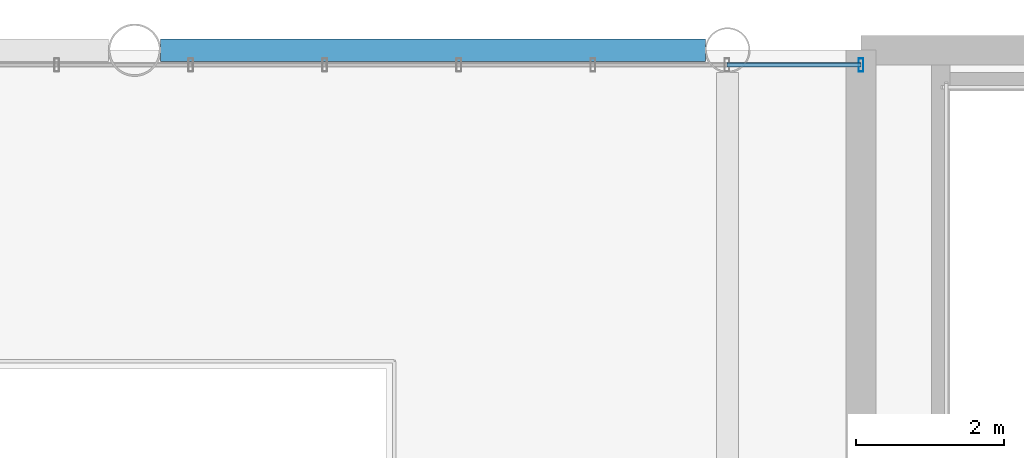
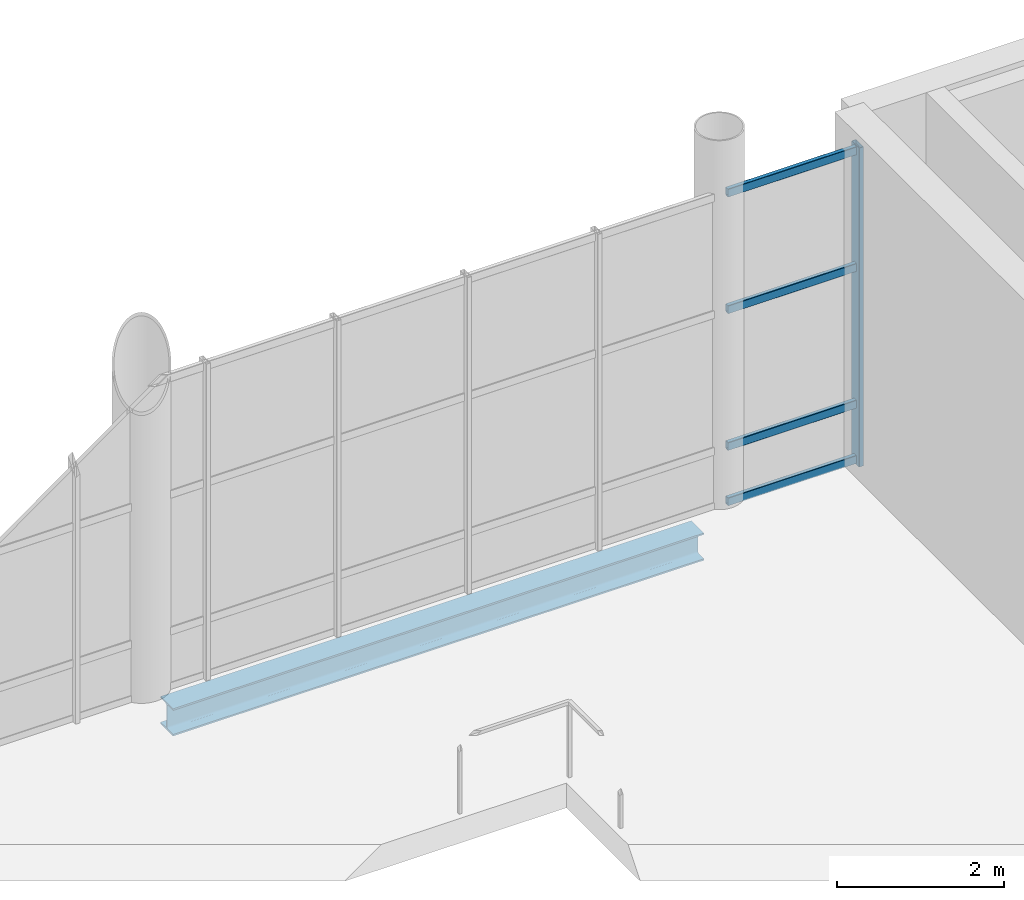
# One storey, part 112 of 176: 5 members, 1 beam, 1 element without a shape of its own.
"""IFC4 building model written with IfcOpenShell, lengths in metres."""

from ifc_helpers import new_model, si_unit, direction, frame, origin, origin_2d, place, context, subcontext, project, spatial, hollow_rectangle, i_section, extrude, material, layer, layer_set, material_profile, profile_set, type_object, element, aggregate, save


model = new_model("IFC4")

# Units and contexts
model_context = context("Model", 3, precision=1e-05, world=origin(), true_north=direction((0.0, 1.0)))
body_context = subcontext(model_context, "Body", "Model", "MODEL_VIEW")
ifc_project = project(units=[si_unit("LENGTHUNIT", "METRE"), si_unit("AREAUNIT", "SQUARE_METRE"), si_unit("VOLUMEUNIT", "CUBIC_METRE"), si_unit("PLANEANGLEUNIT", "RADIAN"), si_unit("MASSUNIT", "GRAM", prefix="KILO")], contexts=[model_context])

# Site, building, storey
site_placement = place(None, origin())
site = spatial("IfcSite", under=ifc_project, at=site_placement, CompositionType="ELEMENT")
building_placement = place(site_placement, origin())
building = spatial("IfcBuilding", under=site, at=building_placement, Name="Khorjan Park Terminus", CompositionType="ELEMENT")
storey_placement = place(building_placement, frame((0.0, 0.0, 6.0)))
storey = spatial("IfcBuildingStorey", under=building, at=storey_placement, Name="L01", CompositionType="ELEMENT", Elevation=6.0)

# Beam
ifc_material_1 = material(Name="Steel S355", Category="steel")
ifc_material_profile_1 = material_profile(ifc_material_1, i_section(OverallWidth=0.3, OverallDepth=0.4, WebThickness=0.0135, FlangeThickness=0.024, FilletRadius=0.027, at=origin_2d()), Name="HEB 400")
ifc_profile_set_1 = profile_set([ifc_material_profile_1], Name="Steel S355")
beam_type = type_object("IfcBeamType", Name="BM-HEB400", PredefinedType="BEAM", material=ifc_profile_set_1)
beam_placement = place(storey_placement, frame((64.3505, 154.0, -0.56), z_axis=(1.0, 0.0, 0.0), x_axis=(0.0, 1.0, 0.0)))
element("IfcBeam", 1, at=beam_placement, inside=storey, type_object=beam_type, Name="Primary floor girder SB-B40 (L01)", PredefinedType="BEAM", context=body_context, shape_type="SweptSolid", body=[
    extrude(i_section(OverallWidth=0.3, OverallDepth=0.4, WebThickness=0.0135, FlangeThickness=0.024, FilletRadius=0.027, at=origin_2d()), origin(), (0.0, 0.0, 1.0), 7.3495),
])

# Curtain wall, members
ifc_material_2 = material(Name="Anodized Bronze Aluminium", Category="aluminium")
ifc_layer = layer(ifc_material_2, 0.22)
ifc_layer_set = layer_set([ifc_layer], Name="Anodized Bronze Aluminium")
curtain_wall_type = type_object("IfcCurtainWallType", Name="CW-BRG-D", PredefinedType="NOTDEFINED", material=ifc_layer_set)
curtain_wall_placement = place(storey_placement, origin())
curtain_wall = element("IfcCurtainWall", 2, at=curtain_wall_placement, inside=storey, type_object=curtain_wall_type, Name="Unitized curtain wall CW-D (CW-BRW-N)", PredefinedType="NOTDEFINED")
ifc_material_profile_2 = material_profile(ifc_material_2, hollow_rectangle(XDim=0.065, YDim=0.18, WallThickness=0.004, InnerFilletRadius=0.004, OuterFilletRadius=0.008, at=origin_2d()), Name="ALM 65x180x4")
ifc_profile_set_2 = profile_set([ifc_material_profile_2], Name="Anodized Bronze Aluminium")
member_type_1 = type_object("IfcMemberType", Name="ML-ALM-180", PredefinedType="MULLION", material=ifc_profile_set_2)
member_1_placement = place(storey_placement, frame((73.8, 153.8, -0.035), z_axis=(0.0, 0.0, 1.0), x_axis=(-1.0, 0.0, 0.0)))
member_1 = element("IfcMember", 3, at=member_1_placement, type_object=member_type_1, Name="Curtain-wall mullion ML-18 (CW-BRW-N-0)", PredefinedType="MULLION", context=body_context, shape_type="SweptSolid", body=[
    extrude(hollow_rectangle(XDim=0.065, YDim=0.18, WallThickness=0.004, InnerFilletRadius=0.004, OuterFilletRadius=0.008, at=origin_2d()), origin(), (0.0, 0.0, 1.0), 4.67),
])
ifc_material_profile_3 = material_profile(ifc_material_2, hollow_rectangle(XDim=0.06, YDim=0.12, WallThickness=0.004, InnerFilletRadius=0.004, OuterFilletRadius=0.008, at=origin_2d()), Name="ALT 60x120x4")
ifc_profile_set_3 = profile_set([ifc_material_profile_3], Name="Anodized Bronze Aluminium")
member_type_2 = type_object("IfcMemberType", Name="TR-ALT-120", PredefinedType="USERDEFINED", material=ifc_profile_set_3)
member_2_placement = place(storey_placement, frame((73.8, 153.8, 0.04), z_axis=(-1.0, 0.0, 0.0), x_axis=(0.0, -1.0, 0.0)))
member_2 = element("IfcMember", 4, at=member_2_placement, type_object=member_type_2, Name="Curtain-wall transom TR-12 (CW-BRW-N-0-1)", ObjectType="TRANSOM", PredefinedType="USERDEFINED", context=body_context, shape_type="SweptSolid", body=[
    extrude(hollow_rectangle(XDim=0.06, YDim=0.12, WallThickness=0.004, InnerFilletRadius=0.004, OuterFilletRadius=0.008, at=origin_2d()), origin(), (0.0, 0.0, 1.0), 1.8083),
])
member_3_placement = place(storey_placement, frame((73.8, 153.8, 0.85), z_axis=(-1.0, 0.0, 0.0), x_axis=(0.0, -1.0, 0.0)))
member_3 = element("IfcMember", 5, at=member_3_placement, type_object=member_type_2, Name="Curtain-wall transom TR-12 (CW-BRW-N-0-2)", ObjectType="TRANSOM", PredefinedType="USERDEFINED", context=body_context, shape_type="SweptSolid", body=[
    extrude(hollow_rectangle(XDim=0.06, YDim=0.12, WallThickness=0.004, InnerFilletRadius=0.004, OuterFilletRadius=0.008, at=origin_2d()), origin(), (0.0, 0.0, 1.0), 1.8083),
])
member_4_placement = place(storey_placement, frame((73.8, 153.8, 2.852), z_axis=(-1.0, 0.0, 0.0), x_axis=(0.0, -1.0, 0.0)))
member_4 = element("IfcMember", 6, at=member_4_placement, type_object=member_type_2, Name="Curtain-wall transom TR-12 (CW-BRW-N-0-3)", ObjectType="TRANSOM", PredefinedType="USERDEFINED", context=body_context, shape_type="SweptSolid", body=[
    extrude(hollow_rectangle(XDim=0.06, YDim=0.12, WallThickness=0.004, InnerFilletRadius=0.004, OuterFilletRadius=0.008, at=origin_2d()), origin(), (0.0, 0.0, 1.0), 1.8083),
])
member_5_placement = place(storey_placement, frame((73.8, 153.8, 4.56), z_axis=(-1.0, 0.0, 0.0), x_axis=(0.0, -1.0, 0.0)))
member_5 = element("IfcMember", 7, at=member_5_placement, type_object=member_type_2, Name="Curtain-wall transom TR-12 (CW-BRW-N-0-4)", ObjectType="TRANSOM", PredefinedType="USERDEFINED", context=body_context, shape_type="SweptSolid", body=[
    extrude(hollow_rectangle(XDim=0.06, YDim=0.12, WallThickness=0.004, InnerFilletRadius=0.004, OuterFilletRadius=0.008, at=origin_2d()), origin(), (0.0, 0.0, 1.0), 1.8083),
])
aggregate(curtain_wall, [member_1, member_2, member_3, member_4, member_5])

save(model, "model.ifc")
